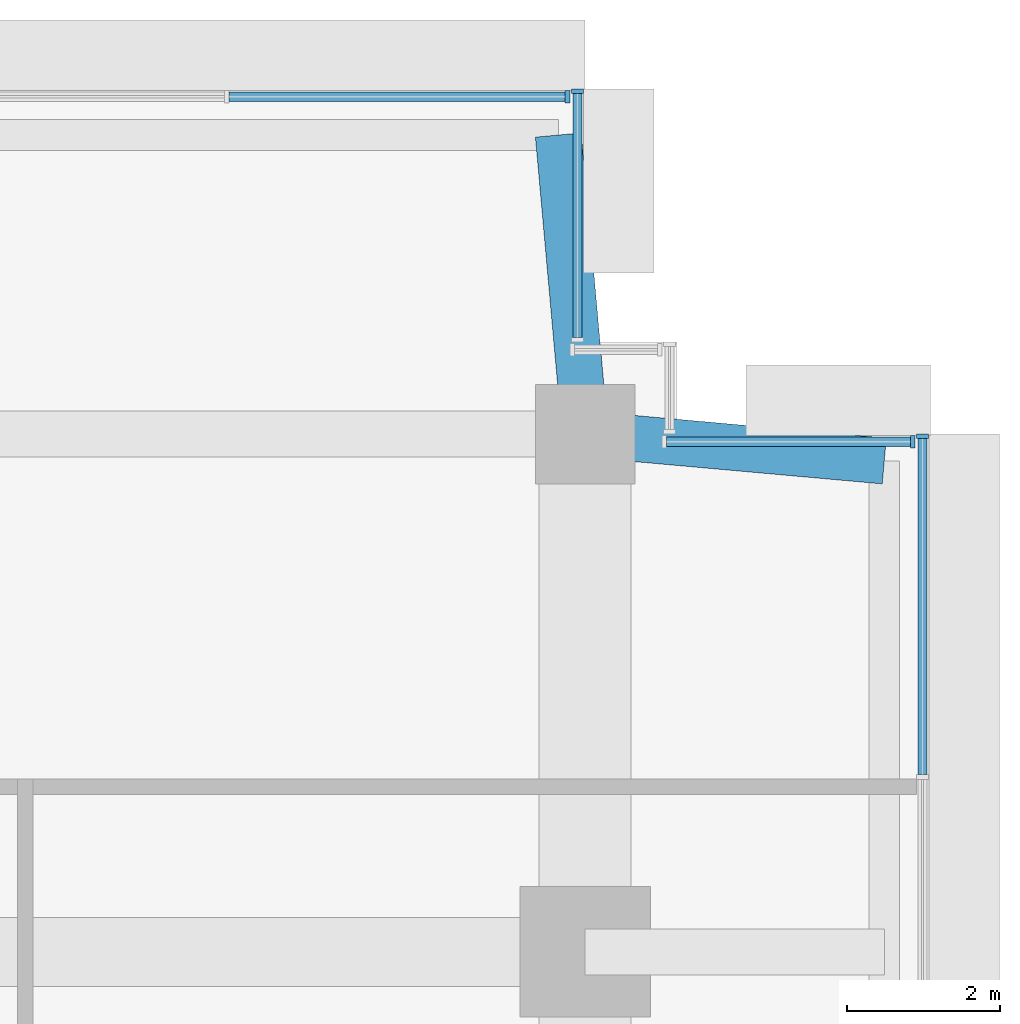
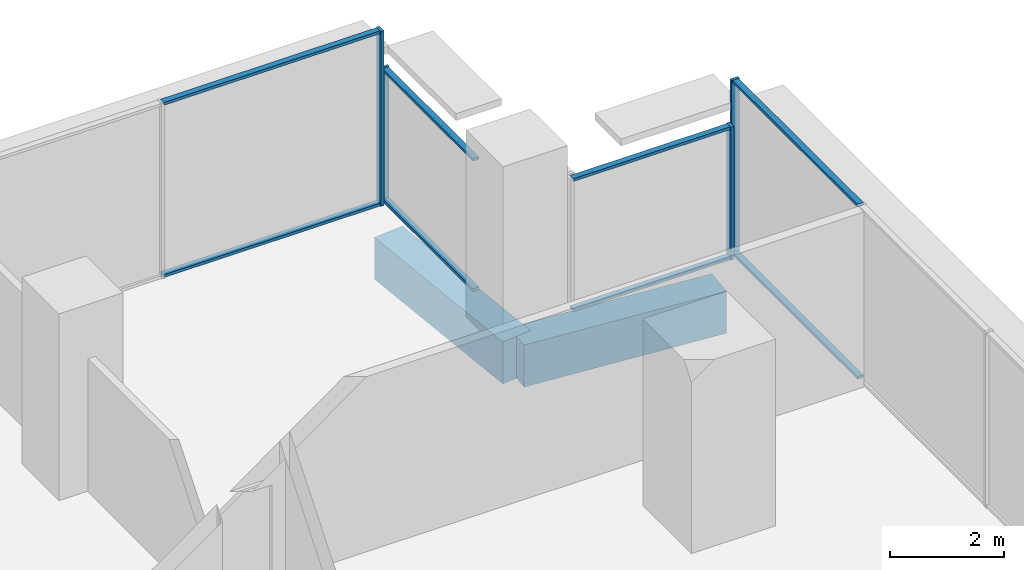
# One storey, part 9 of 13: 12 members, 2 beams, 4 elements without a shape of their own.
"""IFC4 building model written with IfcOpenShell, lengths in metres."""

from ifc_helpers import new_model, si_unit, direction, frame, origin, origin_2d, place, context, subcontext, project, spatial, rectangle, extrude, material, layer, layer_set, material_profile, profile_set, type_object, element, aggregate, save


model = new_model("IFC4")

# Units and contexts
model_context = context("Model", 3, precision=1e-05, world=origin(), true_north=direction((0.0, 1.0)))
body_context = subcontext(model_context, "Body", "Model", "MODEL_VIEW")
ifc_project = project(units=[si_unit("LENGTHUNIT", "METRE"), si_unit("AREAUNIT", "SQUARE_METRE"), si_unit("VOLUMEUNIT", "CUBIC_METRE"), si_unit("PLANEANGLEUNIT", "RADIAN"), si_unit("MASSUNIT", "GRAM", prefix="KILO")], contexts=[model_context])

# Site, building, storey
site_placement = place(None, origin())
site = spatial("IfcSite", under=ifc_project, at=site_placement, CompositionType="ELEMENT")
building_placement = place(site_placement, origin())
building = spatial("IfcBuilding", under=site, at=building_placement, Name="Namib Vertical Campus", CompositionType="ELEMENT")
storey_placement = place(building_placement, frame((0.0, 0.0, 293.0)))
storey = spatial("IfcBuildingStorey", under=building, at=storey_placement, Name="L69", CompositionType="ELEMENT", Elevation=293.0)

# Beams
ifc_material_1 = material(Name="Concrete C40/50", Category="concrete")
ifc_material_profile_1 = material_profile(ifc_material_1, rectangle(XDim=0.60009765625, YDim=0.89990234375, at=origin_2d()))
ifc_profile_set_1 = profile_set([ifc_material_profile_1], Name="Concrete C40/50")
beam_type = type_object("IfcBeamType", Name="Cantilever girder RC 600x900", PredefinedType="BEAM", material=ifc_profile_set_1)
for number, where, z_axis, x_axis, name in (
    (1, (36.0, 36.0, -0.699951171875), (-0.089411326146, 0.995994786511, 0.0), (-0.995994786511, -0.089411326146, 0.0), "Beam B3 L69"),
    (2, (36.0, 36.0, -0.699951171875), (0.995994786511, -0.089411326146, 0.0), (0.089411326146, 0.995994786511, 0.0), "Beam B3 L69"),
):
    element("IfcBeam", number, at=place(storey_placement, frame(where, z_axis=z_axis, x_axis=x_axis)), inside=storey, type_object=beam_type, Name=name, PredefinedType="BEAM", context=body_context, shape_type="SweptSolid", body=[
        extrude(rectangle(XDim=0.60009765625, YDim=0.89990234375, at=origin_2d()), origin(), (0.0, 0.0, 1.0), 3.91552734375),
    ])

# Curtain wall, member
ifc_material_2 = material(Name="Black aluminium curtain wall", Category="aluminium")
ifc_layer = layer(ifc_material_2, 0.199951171875)
ifc_layer_set = layer_set([ifc_layer], Name="Sky lounge curtain wall CW-SL")
curtain_wall_type = type_object("IfcCurtainWallType", Name="Sky lounge curtain wall CW-SL", PredefinedType="USERDEFINED", material=ifc_layer_set)
curtain_wall_1_placement = place(storey_placement, origin())
curtain_wall_1 = element("IfcCurtainWall", 3, at=curtain_wall_1_placement, inside=storey, type_object=curtain_wall_type, Name="Curtain wall CW-SL L69 F06-1", ObjectType="CURTAIN WALL", PredefinedType="USERDEFINED")
ifc_material_3 = material(Name="Black anodised aluminium", Category="aluminium")
ifc_material_profile_2 = material_profile(ifc_material_3, rectangle(XDim=0.06005859375, YDim=0.159912109375, at=origin_2d()))
ifc_profile_set_2 = profile_set([ifc_material_profile_2], Name="Black anodised aluminium")
member_type_1 = type_object("IfcMemberType", Name="Curtain wall mullion 60x160", PredefinedType="MULLION", material=ifc_profile_set_2)
member_1_placement = place(storey_placement, frame((40.39990234375, 35.969970703125, 0.0), z_axis=(0.0, 0.0, 1.0), x_axis=(0.0, 1.0, 0.0)))
member_1 = element("IfcMember", 4, at=member_1_placement, type_object=member_type_1, Name="CW-SL mullion 8", PredefinedType="MULLION", context=body_context, shape_type="SweptSolid", body=[
    extrude(rectangle(XDim=0.06005859375, YDim=0.159912109375, at=origin_2d()), origin(), (0.0, 0.0, 1.0), 3.75),
])

curtain_wall_2_placement = place(storey_placement, origin())
curtain_wall_2 = element("IfcCurtainWall", 5, at=curtain_wall_2_placement, inside=storey, type_object=curtain_wall_type, Name="Curtain wall CW-SL L69 F07-1", ObjectType="CURTAIN WALL", PredefinedType="USERDEFINED")
member_2_placement = place(storey_placement, frame((40.27001953125, 35.89990234375, 0.0), z_axis=(0.0, 0.0, 1.0), x_axis=(-1.0, 0.0, 0.0)))
member_2 = element("IfcMember", 6, at=member_2_placement, type_object=member_type_1, Name="CW-SL mullion 1", PredefinedType="MULLION", context=body_context, shape_type="SweptSolid", body=[
    extrude(rectangle(XDim=0.06005859375, YDim=0.159912109375, at=origin_2d()), origin(), (0.0, 0.0, 1.0), 2.85009765625),
])

curtain_wall_3_placement = place(storey_placement, origin())
curtain_wall_3 = element("IfcCurtainWall", 7, at=curtain_wall_3_placement, inside=storey, type_object=curtain_wall_type, Name="Curtain wall CW-SL L69 F10-1", ObjectType="CURTAIN WALL", PredefinedType="USERDEFINED")
member_3_placement = place(storey_placement, frame((35.89990234375, 40.469970703125, 0.0), z_axis=(0.0, 0.0, 1.0), x_axis=(0.0, 1.0, 0.0)))
member_3 = element("IfcMember", 8, at=member_3_placement, type_object=member_type_1, Name="CW-SL mullion 2", PredefinedType="MULLION", context=body_context, shape_type="SweptSolid", body=[
    extrude(rectangle(XDim=0.06005859375, YDim=0.159912109375, at=origin_2d()), origin(), (0.0, 0.0, 1.0), 2.85009765625),
])

curtain_wall_4_placement = place(storey_placement, origin())
curtain_wall_4 = element("IfcCurtainWall", 9, at=curtain_wall_4_placement, inside=storey, type_object=curtain_wall_type, Name="Curtain wall CW-SL L69 F11-1", ObjectType="CURTAIN WALL", PredefinedType="USERDEFINED")
member_4_placement = place(storey_placement, frame((35.77001953125, 40.39990234375, 0.0), z_axis=(0.0, 0.0, 1.0), x_axis=(-1.0, 0.0, 0.0)))
member_4 = element("IfcMember", 10, at=member_4_placement, type_object=member_type_1, Name="CW-SL mullion 1", PredefinedType="MULLION", context=body_context, shape_type="SweptSolid", body=[
    extrude(rectangle(XDim=0.06005859375, YDim=0.159912109375, at=origin_2d()), origin(), (0.0, 0.0, 1.0), 3.75),
])

# Member
ifc_material_4 = material(Name="Black anodised aluminium", Category="aluminium")
ifc_material_profile_3 = material_profile(ifc_material_4, rectangle(XDim=0.06005859375, YDim=0.1201171875, at=origin_2d()))
ifc_profile_set_3 = profile_set([ifc_material_profile_3], Name="Black anodised aluminium")
member_type_2 = type_object("IfcMemberType", Name="Curtain wall transom 60x120", PredefinedType="USERDEFINED", material=ifc_profile_set_3)
member_5_placement = place(storey_placement, frame((40.39990234375, 31.55859375, 0.030029296875), z_axis=(0.0, 1.0, 0.0), x_axis=(0.0, 0.0, 1.0)))
member_5 = element("IfcMember", 11, at=member_5_placement, type_object=member_type_2, Name="CW-SL transom 7.1", ObjectType="TRANSOM", PredefinedType="USERDEFINED", context=body_context, shape_type="SweptSolid", body=[
    extrude(rectangle(XDim=0.06005859375, YDim=0.1201171875, at=origin_2d()), origin(), (0.0, 0.0, 1.0), 4.38134765625),
])

member_6_placement = place(storey_placement, frame((40.39990234375, 31.55859375, 3.719970703125), z_axis=(0.0, 1.0, 0.0), x_axis=(0.0, 0.0, 1.0)))
member_6 = element("IfcMember", 12, at=member_6_placement, type_object=member_type_2, Name="CW-SL transom 7.2", ObjectType="TRANSOM", PredefinedType="USERDEFINED", context=body_context, shape_type="SweptSolid", body=[
    extrude(rectangle(XDim=0.06005859375, YDim=0.1201171875, at=origin_2d()), origin(), (0.0, 0.0, 1.0), 4.38134765625),
])

aggregate(curtain_wall_1, [member_1, member_5, member_6])

member_7_placement = place(storey_placement, frame((40.239990234375, 35.89990234375, 0.030029296875), z_axis=(-1.0, 0.0, 0.0), x_axis=(0.0, 0.0, 1.0)))
member_7 = element("IfcMember", 13, at=member_7_placement, type_object=member_type_2, Name="CW-SL transom 1.1", ObjectType="TRANSOM", PredefinedType="USERDEFINED", context=body_context, shape_type="SweptSolid", body=[
    extrude(rectangle(XDim=0.06005859375, YDim=0.1201171875, at=origin_2d()), origin(), (0.0, 0.0, 1.0), 3.179931640625),
])

member_8_placement = place(storey_placement, frame((40.239990234375, 35.89990234375, 2.820068359375), z_axis=(-1.0, 0.0, 0.0), x_axis=(0.0, 0.0, 1.0)))
member_8 = element("IfcMember", 14, at=member_8_placement, type_object=member_type_2, Name="CW-SL transom 1.2", ObjectType="TRANSOM", PredefinedType="USERDEFINED", context=body_context, shape_type="SweptSolid", body=[
    extrude(rectangle(XDim=0.06005859375, YDim=0.1201171875, at=origin_2d()), origin(), (0.0, 0.0, 1.0), 3.179931640625),
])

aggregate(curtain_wall_2, [member_2, member_7, member_8])

member_9_placement = place(storey_placement, frame((35.89990234375, 37.260009765625, 0.030029296875), z_axis=(0.0, 1.0, 0.0), x_axis=(0.0, 0.0, 1.0)))
member_9 = element("IfcMember", 15, at=member_9_placement, type_object=member_type_2, Name="CW-SL transom 1.1", ObjectType="TRANSOM", PredefinedType="USERDEFINED", context=body_context, shape_type="SweptSolid", body=[
    extrude(rectangle(XDim=0.06005859375, YDim=0.1201171875, at=origin_2d()), origin(), (0.0, 0.0, 1.0), 3.179931640625),
])

member_10_placement = place(storey_placement, frame((35.89990234375, 37.260009765625, 2.820068359375), z_axis=(0.0, 1.0, 0.0), x_axis=(0.0, 0.0, 1.0)))
member_10 = element("IfcMember", 16, at=member_10_placement, type_object=member_type_2, Name="CW-SL transom 1.2", ObjectType="TRANSOM", PredefinedType="USERDEFINED", context=body_context, shape_type="SweptSolid", body=[
    extrude(rectangle(XDim=0.06005859375, YDim=0.1201171875, at=origin_2d()), origin(), (0.0, 0.0, 1.0), 3.179931640625),
])

aggregate(curtain_wall_3, [member_3, member_9, member_10])

member_11_placement = place(storey_placement, frame((35.739990234375, 40.39990234375, 0.030029296875), z_axis=(-1.0, 0.0, 0.0), x_axis=(0.0, 0.0, 1.0)))
member_11 = element("IfcMember", 17, at=member_11_placement, type_object=member_type_2, Name="CW-SL transom 1.1", ObjectType="TRANSOM", PredefinedType="USERDEFINED", context=body_context, shape_type="SweptSolid", body=[
    extrude(rectangle(XDim=0.06005859375, YDim=0.1201171875, at=origin_2d()), origin(), (0.0, 0.0, 1.0), 4.38134765625),
])

member_12_placement = place(storey_placement, frame((35.739990234375, 40.39990234375, 3.719970703125), z_axis=(-1.0, 0.0, 0.0), x_axis=(0.0, 0.0, 1.0)))
member_12 = element("IfcMember", 18, at=member_12_placement, type_object=member_type_2, Name="CW-SL transom 1.2", ObjectType="TRANSOM", PredefinedType="USERDEFINED", context=body_context, shape_type="SweptSolid", body=[
    extrude(rectangle(XDim=0.06005859375, YDim=0.1201171875, at=origin_2d()), origin(), (0.0, 0.0, 1.0), 4.38134765625),
])

aggregate(curtain_wall_4, [member_4, member_11, member_12])

save(model, "model.ifc")
